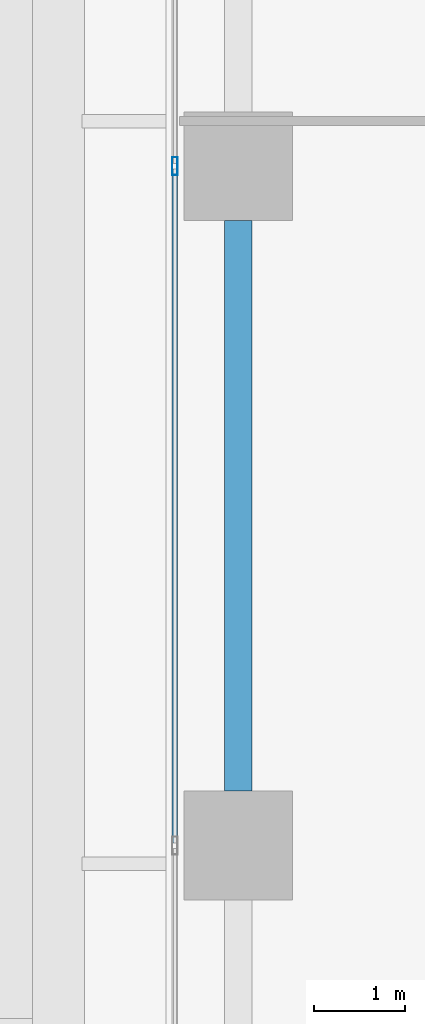
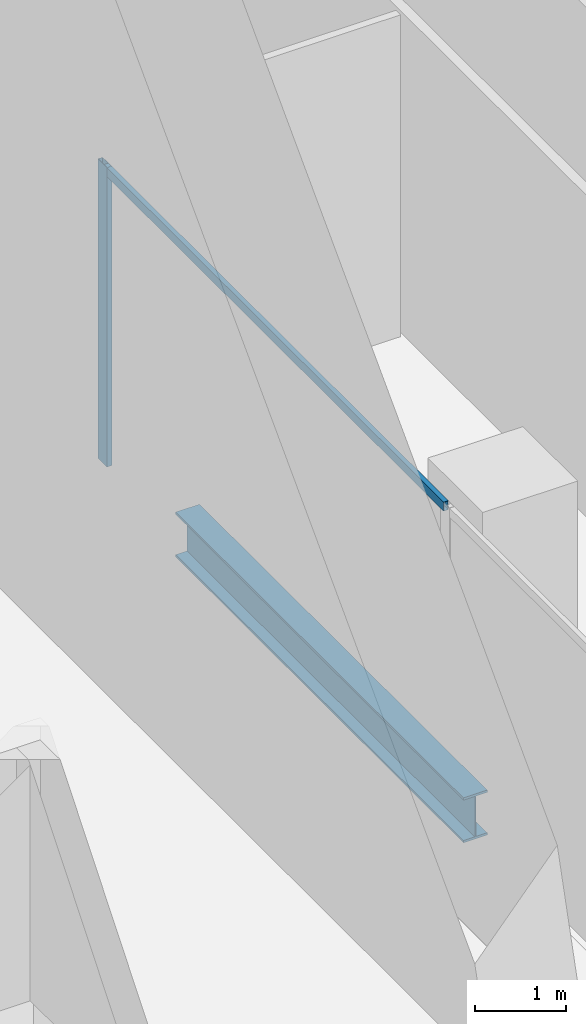
# One storey, part 4 of 46: 2 members, 1 beam, 1 element without a shape of its own.
"""IFC4 building model written with IfcOpenShell, lengths in metres."""

from ifc_helpers import new_model, si_unit, direction, frame, origin, origin_2d, place, context, subcontext, project, spatial, hollow_rectangle, i_section, extrude, source, transform, mapped, material, material_profile, profile_set, type_object, element, aggregate, save


model = new_model("IFC4")

# Units and contexts
model_context = context("Model", 3, precision=1e-05, world=origin(), true_north=direction((0.0, 1.0)))
body_context = subcontext(model_context, "Body", "Model", "MODEL_VIEW")
ifc_project = project(units=[si_unit("LENGTHUNIT", "METRE"), si_unit("AREAUNIT", "SQUARE_METRE"), si_unit("VOLUMEUNIT", "CUBIC_METRE"), si_unit("PLANEANGLEUNIT", "RADIAN"), si_unit("MASSUNIT", "GRAM", prefix="KILO")], contexts=[model_context])

# Site, building, storey
site_placement = place(None, origin())
site = spatial("IfcSite", under=ifc_project, at=site_placement, CompositionType="ELEMENT")
building_placement = place(site_placement, origin())
building = spatial("IfcBuilding", under=site, at=building_placement, Name="Khomas Fold Tower", CompositionType="ELEMENT")
storey_placement = place(building_placement, frame((0.0, 0.0, 33.0)))
storey = spatial("IfcBuildingStorey", under=building, at=storey_placement, Name="L06", CompositionType="ELEMENT", Elevation=33.0)

# Beam
ifc_material_1 = material(Name="Steel S355", Category="steel")
ifc_material_profile_1 = material_profile(ifc_material_1, i_section(OverallWidth=0.300048828125, OverallDepth=0.60009765625, WebThickness=0.015380859375, FlangeThickness=0.030029296875, at=origin_2d()), Name="HE 600 B")
ifc_profile_set_1 = profile_set([ifc_material_profile_1], Name="Steel S355")
beam_type = type_object("IfcBeamType", Name="HE 600 B spandrel SB1", PredefinedType="SPANDREL", material=ifc_profile_set_1)
shared_shape_1 = source(origin(), body_context, "Body", "SweptSolid", [
    extrude(i_section(OverallWidth=0.300048828125, OverallDepth=0.60009765625, WebThickness=0.015380859375, FlangeThickness=0.030029296875, at=origin_2d()), origin(), (0.0, 0.0, 1.0), 6.2998046875),
])
beam_placement = place(storey_placement, frame((0.800048828125, 12.60009765625, -0.800048828125), z_axis=(0.0, 1.0, 0.0), x_axis=(-1.0, 0.0, 0.0)))
element("IfcBeam", 1, at=beam_placement, inside=storey, type_object=beam_type, Name="SB1", PredefinedType="SPANDREL", context=body_context, shape_type="MappedRepresentation", body=[
    mapped(shared_shape_1, transform((0.0, 0.0, 0.0))),
])

# Curtain wall, members
ifc_material_2 = material(Name="Aluminium framed double glazing", Category="aluminium")
curtain_wall_type = type_object("IfcCurtainWallType", Name="SK-Unitised clear-glass wall, growing floors CW1", PredefinedType="NOTDEFINED", material=ifc_material_2)
curtain_wall_placement = place(storey_placement, origin())
curtain_wall = element("IfcCurtainWall", 2, at=curtain_wall_placement, inside=storey, type_object=curtain_wall_type, Name="CW1 run L06 09-0", PredefinedType="NOTDEFINED")
ifc_material_3 = material(Name="Aluminium", Category="aluminium")
ifc_material_profile_2 = material_profile(ifc_material_3, hollow_rectangle(XDim=0.06005859375, YDim=0.199951171875, WallThickness=0.00390625, at=origin_2d()), Name="SK-Unitised clear-glass wall, growing floors mullion CW1-M")
ifc_profile_set_2 = profile_set([ifc_material_profile_2], Name="Aluminium")
member_type_1 = type_object("IfcMemberType", Name="SK-Unitised clear-glass wall, growing floors mullion CW1-M", PredefinedType="MULLION", material=ifc_profile_set_2)
shared_shape_2 = source(origin(), body_context, "Body", "SweptSolid", [
    extrude(hollow_rectangle(XDim=0.06005859375, YDim=0.199951171875, WallThickness=0.00390625, at=origin_2d()), origin(), (0.0, 0.0, 1.0), 4.0),
])
member_1_placement = place(storey_placement, frame((0.10009765625, 19.5, 0.0), z_axis=(0.0, 0.0, 1.0), x_axis=(1.0, 0.0, 0.0)))
member_1 = element("IfcMember", 3, at=member_1_placement, type_object=member_type_1, Name="CW1 mullion 6", PredefinedType="MULLION", context=body_context, shape_type="MappedRepresentation", body=[
    mapped(shared_shape_2, transform((0.0, 0.0, 0.0))),
])
ifc_material_4 = material(Name="Aluminium", Category="aluminium")
ifc_material_profile_3 = material_profile(ifc_material_4, hollow_rectangle(XDim=0.06005859375, YDim=0.1201171875, WallThickness=0.00390625, at=origin_2d()), Name="SK-Unitised clear-glass wall, growing floors transom CW1-T")
ifc_profile_set_3 = profile_set([ifc_material_profile_3], Name="Aluminium")
member_type_2 = type_object("IfcMemberType", Name="SK-Unitised clear-glass wall, growing floors transom CW1-T", PredefinedType="USERDEFINED", material=ifc_profile_set_3)
shared_shape_3 = source(origin(), body_context, "Body", "SweptSolid", [
    extrude(hollow_rectangle(XDim=0.06005859375, YDim=0.1201171875, WallThickness=0.00390625, at=origin_2d()), origin(), (0.0, 0.0, 1.0), 7.43994140625),
])
member_2_placement = place(storey_placement, frame((0.10009765625, 19.469970703125, 3.93994140625), z_axis=(0.0, -1.0, 0.0), x_axis=(1.0, 0.0, 0.0)))
member_2 = element("IfcMember", 4, at=member_2_placement, type_object=member_type_2, Name="CW1 transom 6", ObjectType="TRANSOM", PredefinedType="USERDEFINED", context=body_context, shape_type="MappedRepresentation", body=[
    mapped(shared_shape_3, transform((0.0, 0.0, 0.0))),
])
aggregate(curtain_wall, [member_1, member_2])

save(model, "model.ifc")
